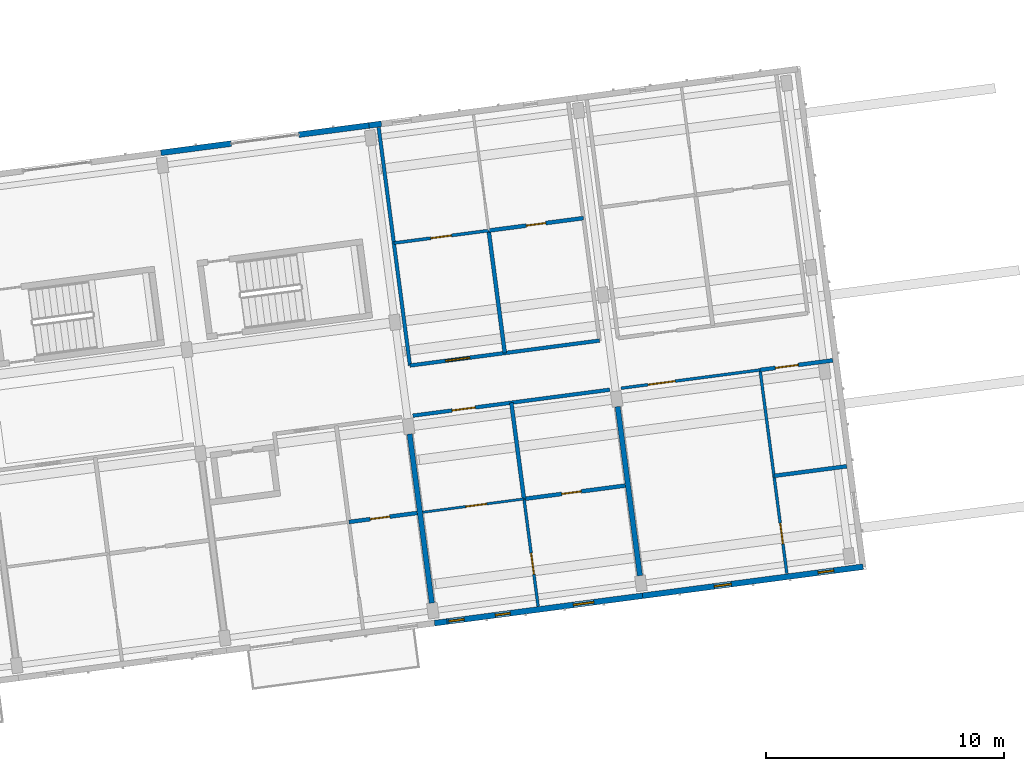
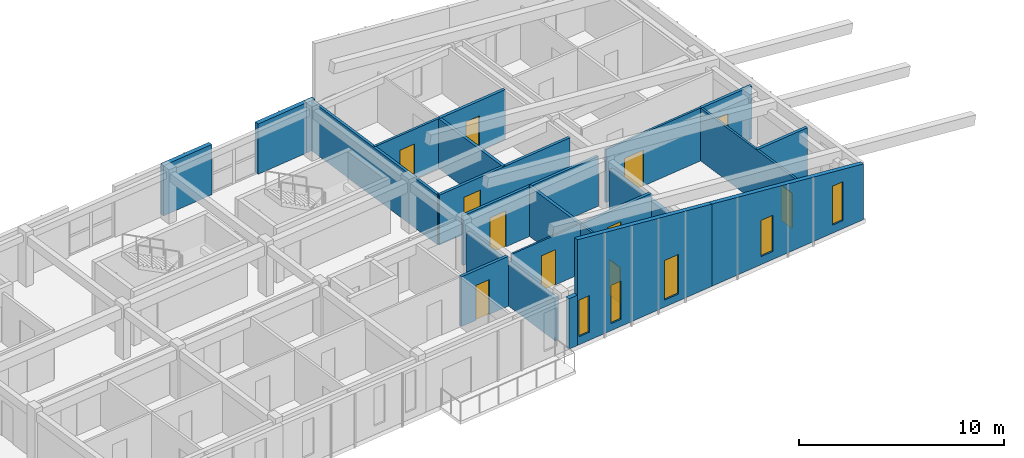
# One storey, part 8 of 16: 23 walls, 11 doors, 5 windows, 16 openings.
"""IFC4 building model written with IfcOpenShell, lengths in metres."""

from ifc_helpers import new_model, si_unit, direction, frame, frame_2d, origin, place, context, subcontext, project, spatial, polyline, rectangle, outline, extrude, material, layer, layer_set, type_object, element, fill, save


model = new_model("IFC4")

# Units and contexts
model_context = context("Model", 3, precision=1e-05, world=origin(), true_north=direction((0.0, 1.0)))
body_context = subcontext(model_context, "Body", "Model", "MODEL_VIEW")
ifc_project = project(units=[si_unit("LENGTHUNIT", "METRE"), si_unit("AREAUNIT", "SQUARE_METRE"), si_unit("VOLUMEUNIT", "CUBIC_METRE"), si_unit("PLANEANGLEUNIT", "RADIAN"), si_unit("MASSUNIT", "GRAM", prefix="KILO")], contexts=[model_context])

# Site, building, storey
site_placement = place(None, origin())
site = spatial("IfcSite", under=ifc_project, at=site_placement, CompositionType="ELEMENT")
building_placement = place(site_placement, origin())
building = spatial("IfcBuilding", under=site, at=building_placement, Name="Kestramere Prow Commons", CompositionType="ELEMENT")
storey_placement = place(building_placement, frame((0.0, 0.0, 40.89990234375)))
storey = spatial("IfcBuildingStorey", under=building, at=storey_placement, Name="L12", CompositionType="ELEMENT", Elevation=40.89990234375)

# Wall
ifc_material_1 = material(Name="Fluoropolymer Standing-Seam Zinc-Aluminium Cladding", Category="aluminium")
ifc_layer_1 = layer(ifc_material_1, 0.239990234375)
ifc_layer_set_1 = layer_set([ifc_layer_1], Name="Fluoropolymer Standing-Seam Zinc-Aluminium Cladding")
wall_type_1 = type_object("IfcWallType", Name="EW-SEAM-240", PredefinedType="SOLIDWALL", material=ifc_layer_set_1)
wall_1_placement = place(storey_placement, frame((37.963134765625, 74.993896484375, 0.0), z_axis=(0.0, 0.0, 1.0), x_axis=(-0.991425781816, -0.130671034095, 0.0)))
element("IfcWall", 1, at=wall_1_placement, inside=storey, type_object=wall_type_1, Name="Block A L12 South Step-Back Spandrel Wall 4", PredefinedType="SOLIDWALL", context=body_context, shape_type="SweptSolid", body=[
    extrude(rectangle(XDim=0.52490234375, YDim=0.239990234375, at=frame_2d((0.262451171875, 0.0))), origin(), (0.0, 0.0, 1.0), 3.0),
])

# Wall, openings, windows
wall_2_placement = place(storey_placement, frame((46.16748046875, 76.073974609375, 0.0), z_axis=(0.0, 0.0, 1.0), x_axis=(-0.991445556921, -0.130520908907, 0.0)))
wall_2 = element("IfcWall", 2, at=wall_2_placement, inside=storey, type_object=wall_type_1, Name="Block A L12 South Standing-Seam Wall 4", PredefinedType="SOLIDWALL", context=body_context, shape_type="SweptSolid", body=[
    extrude(outline(polyline([(0.0, 0.0), (8.275146484375, 0.0), (8.27490234375, 6.301025390625), (0.0, 4.900634765625), (0.0, 0.0)])), frame((0.0, 0.1201171875, 0.0), z_axis=(0.0, -1.0, 0.0), x_axis=(1.0, 0.0, 0.0)), (0.0, 0.0, 1.0), 0.239990234375),
])
opening_1_placement = place(wall_2_placement, frame((2.063720703125, 0.0, 0.419921875)))
opening_1 = element("IfcOpeningElement", 3, at=opening_1_placement, cuts=wall_2, Name="Opening WN-15", PredefinedType="OPENING", context=body_context, shape_type="SweptSolid", body=[
    extrude(rectangle(XDim=0.860107421875, YDim=2.360107421875, at=frame_2d((0.43017578125, 1.18017578125))), frame((0.0, 0.135009765625, 0.0), z_axis=(0.0, -1.0, 0.0), x_axis=(1.0, 0.0, 0.0)), (0.0, 0.0, 1.0), 0.27001953125),
])
opening_2_placement = place(wall_2_placement, frame((5.60400390625, 0.0, 0.419921875)))
opening_2 = element("IfcOpeningElement", 4, at=opening_2_placement, cuts=wall_2, Name="Opening WN-03", PredefinedType="OPENING", context=body_context, shape_type="SweptSolid", body=[
    extrude(rectangle(XDim=0.6201171875, YDim=2.280029296875, at=frame_2d((0.31005859375, 1.14013671875))), frame((0.0, 0.135009765625, 0.0), z_axis=(0.0, -1.0, 0.0), x_axis=(1.0, 0.0, 0.0)), (0.0, 0.0, 1.0), 0.27001953125),
])
opening_3_placement = place(wall_2_placement, frame((7.550048828125, 0.0, 0.47998046875)))
opening_3 = element("IfcOpeningElement", 5, at=opening_3_placement, cuts=wall_2, Name="Opening WN-04", PredefinedType="OPENING", context=body_context, shape_type="SweptSolid", body=[
    extrude(rectangle(XDim=0.639892578125, YDim=2.179931640625, at=frame_2d((0.31982421875, 1.08984375))), frame((0.0, 0.135009765625, 0.0), z_axis=(0.0, -1.0, 0.0), x_axis=(1.0, 0.0, 0.0)), (0.0, 0.0, 1.0), 0.27001953125),
])
ifc_material_2 = material(Name="Low-E Laminated Double Glazing", Category="glass")
window_type_1 = type_object("IfcWindowType", Name="WN-NAR-620A", PartitioningType="SINGLE_PANEL", PredefinedType="WINDOW", material=ifc_material_2)
window_1_placement = place(opening_2_placement, origin())
window_1 = element("IfcWindow", 6, at=window_1_placement, inside=storey, type_object=window_type_1, Name="WN-A-L12-S-3-10", OverallHeight=2.280029296875, OverallWidth=0.6201171875, PartitioningType="SINGLE_PANEL", PredefinedType="WINDOW", context=body_context, shape_type="SweptSolid", body=[
    extrude(rectangle(XDim=0.6201171875, YDim=2.280029296875, at=frame_2d((0.31005859375, 1.14013671875))), frame((0.0, 0.030029296875, 0.0), z_axis=(0.0, -1.0, 0.0), x_axis=(1.0, 0.0, 0.0)), (0.0, 0.0, 1.0), 0.06005859375),
])
fill(opening_2, window_1)
window_type_2 = type_object("IfcWindowType", Name="WN-NAR-640A", PartitioningType="SINGLE_PANEL", PredefinedType="WINDOW", material=ifc_material_2)
window_2_placement = place(opening_3_placement, origin())
window_2 = element("IfcWindow", 7, at=window_2_placement, inside=storey, type_object=window_type_2, Name="WN-A-L12-S-3-11", OverallHeight=2.179931640625, OverallWidth=0.639892578125, PartitioningType="SINGLE_PANEL", PredefinedType="WINDOW", context=body_context, shape_type="SweptSolid", body=[
    extrude(rectangle(XDim=0.639892578125, YDim=2.179931640625, at=frame_2d((0.31982421875, 1.08984375))), frame((0.0, 0.030029296875, 0.0), z_axis=(0.0, -1.0, 0.0), x_axis=(1.0, 0.0, 0.0)), (0.0, 0.0, 1.0), 0.06005859375),
])
fill(opening_3, window_2)
window_type_3 = type_object("IfcWindowType", Name="WN-NAR-860A", PartitioningType="DOUBLE_PANEL_VERTICAL", PredefinedType="WINDOW", material=ifc_material_2)
window_3_placement = place(opening_1_placement, origin())
window_3 = element("IfcWindow", 8, at=window_3_placement, inside=storey, type_object=window_type_3, Name="WN-A-L12-S-3-00", OverallHeight=2.360107421875, OverallWidth=0.860107421875, PartitioningType="SINGLE_PANEL", PredefinedType="WINDOW", context=body_context, shape_type="SweptSolid", body=[
    extrude(rectangle(XDim=0.860107421875, YDim=2.360107421875, at=frame_2d((0.43017578125, 1.18017578125))), frame((0.0, 0.030029296875, 0.0), z_axis=(0.0, -1.0, 0.0), x_axis=(1.0, 0.0, 0.0)), (0.0, 0.0, 1.0), 0.06005859375),
])
fill(opening_1, window_3)

wall_3_placement = place(storey_placement, frame((55.41259765625, 77.291259765625, 0.0), z_axis=(0.0, 0.0, 1.0), x_axis=(-0.991442885224, -0.130541201693, 0.0)))
wall_3 = element("IfcWall", 9, at=wall_3_placement, inside=storey, type_object=wall_type_1, Name="Block A L12 South Standing-Seam Wall 5", PredefinedType="SOLIDWALL", context=body_context, shape_type="SweptSolid", body=[
    extrude(outline(polyline([(0.0, 0.0), (9.324951171875, 0.0), (9.324951171875, 4.900634765625), (0.0, 3.322509765625), (0.0, 0.0)])), frame((0.0, 0.1201171875, 0.0), z_axis=(0.0, -1.0, 0.0), x_axis=(1.0, 0.0, 0.0)), (0.0, 0.0, 1.0), 0.239990234375),
])
opening_4_placement = place(wall_3_placement, frame((1.244140625, 0.0, 0.47998046875)))
opening_4 = element("IfcOpeningElement", 10, at=opening_4_placement, cuts=wall_3, Name="Opening WN-05", PredefinedType="OPENING", context=body_context, shape_type="SweptSolid", body=[
    extrude(rectangle(XDim=0.659912109375, YDim=2.320068359375, at=frame_2d((0.330078125, 1.16015625))), frame((0.0, 0.135009765625, 0.0), z_axis=(0.0, -1.0, 0.0), x_axis=(1.0, 0.0, 0.0)), (0.0, 0.0, 1.0), 0.27001953125),
])
opening_5_placement = place(wall_3_placement, frame((5.572509765625, 0.0, 0.47998046875)))
opening_5 = element("IfcOpeningElement", 11, at=opening_5_placement, cuts=wall_3, Name="Opening WN-08", PredefinedType="OPENING", context=body_context, shape_type="SweptSolid", body=[
    extrude(rectangle(XDim=0.719970703125, YDim=2.159912109375, at=frame_2d((0.35986328125, 1.080078125))), frame((0.0, 0.135009765625, 0.0), z_axis=(0.0, -1.0, 0.0), x_axis=(1.0, 0.0, 0.0)), (0.0, 0.0, 1.0), 0.27001953125),
])
window_type_4 = type_object("IfcWindowType", Name="WN-NAR-660A", PartitioningType="SINGLE_PANEL", PredefinedType="WINDOW", material=ifc_material_2)
window_4_placement = place(opening_4_placement, origin())
window_4 = element("IfcWindow", 12, at=window_4_placement, inside=storey, type_object=window_type_4, Name="WN-A-L12-S-4-00", OverallHeight=2.320068359375, OverallWidth=0.659912109375, PartitioningType="SINGLE_PANEL", PredefinedType="WINDOW", context=body_context, shape_type="SweptSolid", body=[
    extrude(rectangle(XDim=0.659912109375, YDim=2.320068359375, at=frame_2d((0.330078125, 1.16015625))), frame((0.0, 0.030029296875, 0.0), z_axis=(0.0, -1.0, 0.0), x_axis=(1.0, 0.0, 0.0)), (0.0, 0.0, 1.0), 0.06005859375),
])
fill(opening_4, window_4)
window_type_5 = type_object("IfcWindowType", Name="WN-NAR-720A", PartitioningType="SINGLE_PANEL", PredefinedType="WINDOW", material=ifc_material_2)
window_5_placement = place(opening_5_placement, origin())
window_5 = element("IfcWindow", 13, at=window_5_placement, inside=storey, type_object=window_type_5, Name="WN-A-L12-S-4-10", OverallHeight=2.159912109375, OverallWidth=0.719970703125, PartitioningType="SINGLE_PANEL", PredefinedType="WINDOW", context=body_context, shape_type="SweptSolid", body=[
    extrude(rectangle(XDim=0.719970703125, YDim=2.159912109375, at=frame_2d((0.35986328125, 1.080078125))), frame((0.0, 0.030029296875, 0.0), z_axis=(0.0, -1.0, 0.0), x_axis=(1.0, 0.0, 0.0)), (0.0, 0.0, 1.0), 0.06005859375),
])
fill(opening_5, window_5)

# Walls
for number, where, z_axis, x_axis, name in (
    (14, (25.970458984375, 94.646728515625, 0.0), (0.0, 0.0, 1.0), (0.991450105095, 0.130486356022, 0.0), "Block A L12 North Standing-Seam Pier 3L"),
    (15, (31.74560546875, 95.406982421875, 0.0), (0.0, 0.0, 1.0), (0.991439484875, 0.130567024289, 0.0), "Block A L12 North Standing-Seam Pier 3R"),
):
    element("IfcWall", number, at=place(storey_placement, frame(where, z_axis=z_axis, x_axis=x_axis)), inside=storey, type_object=wall_type_1, Name=name, PredefinedType="SOLIDWALL", context=body_context, shape_type="SweptSolid", body=[
        extrude(rectangle(XDim=2.974853515625, YDim=0.239990234375, at=frame_2d((1.4873046875, 0.0))), origin(), (0.0, 0.0, 1.0), 3.0),
    ])
wall_4_placement = place(storey_placement, frame((34.695068359375, 95.79541015625, 0.0), z_axis=(0.0, 0.0, 1.0), x_axis=(0.991485923918, 0.130213911209, 0.0)))
element("IfcWall", 16, at=wall_4_placement, inside=storey, type_object=wall_type_1, Name="Block A L12 North Step-Back Spandrel Wall 4", PredefinedType="SOLIDWALL", context=body_context, shape_type="SweptSolid", body=[
    extrude(rectangle(XDim=0.52490234375, YDim=0.239990234375, at=frame_2d((0.262451171875, 0.0))), origin(), (0.0, 0.0, 1.0), 3.0),
])

# Wall, opening, door
ifc_material_3 = material(Name="Fire-Rated Calcium Silicate Wall")
ifc_layer_2 = layer(ifc_material_3, 0.155029296875)
ifc_layer_set_2 = layer_set([ifc_layer_2], Name="Fire-Rated Calcium Silicate Wall")
wall_type_2 = type_object("IfcWallType", Name="W-FIRE-150", PredefinedType="PARTITIONING", material=ifc_layer_set_2)
wall_5_placement = place(storey_placement, frame((36.5341796875, 83.626220703125, 0.0), z_axis=(0.0, 0.0, 1.0), x_axis=(0.991443119217, 0.13053942453, 0.0)))
wall_5 = element("IfcWall", 17, at=wall_5_placement, inside=storey, type_object=wall_type_2, Name="Interior Partition PW-A-L12-CS-3", PredefinedType="PARTITIONING", context=body_context, shape_type="SweptSolid", body=[
    extrude(rectangle(XDim=8.330078125, YDim=0.155029296875, at=frame_2d((4.1650390625, 0.0))), origin(), (0.0, 0.0, 1.0), 2.97021484375),
])
opening_6_placement = place(wall_5_placement, frame((1.655029296875, 0.0, 0.0)))
opening_6 = element("IfcOpeningElement", 18, at=opening_6_placement, cuts=wall_5, Name="Opening ID-04", PredefinedType="OPENING", context=body_context, shape_type="SweptSolid", body=[
    extrude(rectangle(XDim=0.97998046875, YDim=2.14990234375, at=frame_2d((0.489990234375, 1.074951171875))), frame((0.0, 0.092529296875, 0.0), z_axis=(0.0, -1.0, 0.0), x_axis=(1.0, 0.0, 0.0)), (0.0, 0.0, 1.0), 0.18505859375),
])
ifc_material_4 = material(Name="Hardwood Fire-Rated Flat Entrance Door", Category="wood")
door_type_1 = type_object("IfcDoorType", Name="FD-ENT-01", OperationType="NOTDEFINED", PredefinedType="DOOR", material=ifc_material_4)
door_1_placement = place(opening_6_placement, origin())
door_1 = element("IfcDoor", 19, at=door_1_placement, inside=storey, type_object=door_type_1, Name="Interior Door DR-A-L12-ENT-S3", OperationType="SINGLE_SWING_RIGHT", OverallHeight=2.14990234375, OverallWidth=0.97998046875, PredefinedType="DOOR", context=body_context, shape_type="SweptSolid", body=[
    extrude(rectangle(XDim=0.97998046875, YDim=2.14990234375, at=frame_2d((0.489990234375, 1.074951171875))), frame((0.0, 0.02490234375, 0.0), z_axis=(0.0, -1.0, 0.0), x_axis=(1.0, 0.0, 0.0)), (0.0, 0.0, 1.0), 0.050048828125),
])
fill(opening_6, door_1)

wall_6_placement = place(storey_placement, frame((36.413818359375, 85.728515625, 0.0), z_axis=(0.0, 0.0, 1.0), x_axis=(0.991444034844, 0.130532470184, 0.0)))
wall_6 = element("IfcWall", 20, at=wall_6_placement, inside=storey, type_object=wall_type_2, Name="Interior Partition PW-A-L12-CN-3", PredefinedType="PARTITIONING", context=body_context, shape_type="SweptSolid", body=[
    extrude(rectangle(XDim=8.02001953125, YDim=0.155029296875, at=frame_2d((4.010009765625, 0.0))), origin(), (0.0, 0.0, 1.0), 2.97021484375),
])
opening_7_placement = place(wall_6_placement, frame((1.5048828125, 0.0, 0.0)))
opening_7 = element("IfcOpeningElement", 21, at=opening_7_placement, cuts=wall_6, Name="Opening ID-05", PredefinedType="OPENING", context=body_context, shape_type="SweptSolid", body=[
    extrude(rectangle(XDim=1.02001953125, YDim=2.199951171875, at=frame_2d((0.510009765625, 1.10009765625))), frame((0.0, 0.092529296875, 0.0), z_axis=(0.0, -1.0, 0.0), x_axis=(1.0, 0.0, 0.0)), (0.0, 0.0, 1.0), 0.18505859375),
])
door_type_2 = type_object("IfcDoorType", Name="FD-ENT-02", OperationType="NOTDEFINED", PredefinedType="DOOR", material=ifc_material_4)
door_2_placement = place(opening_7_placement, origin())
door_2 = element("IfcDoor", 22, at=door_2_placement, inside=storey, type_object=door_type_2, Name="Interior Door DR-A-L12-ENT-N3", OperationType="SINGLE_SWING_RIGHT", OverallHeight=2.199951171875, OverallWidth=1.02001953125, PredefinedType="DOOR", context=body_context, shape_type="SweptSolid", body=[
    extrude(rectangle(XDim=1.02001953125, YDim=2.199951171875, at=frame_2d((0.510009765625, 1.10009765625))), frame((0.0, 0.02490234375, 0.0), z_axis=(0.0, -1.0, 0.0), x_axis=(1.0, 0.0, 0.0)), (0.0, 0.0, 1.0), 0.050048828125),
])
fill(opening_7, door_2)

ifc_material_5 = material(Name="Gypsum Acoustic Drywall")
ifc_layer_3 = layer(ifc_material_5, 0.10009765625)
ifc_layer_set_3 = layer_set([ifc_layer_3], Name="Gypsum Acoustic Drywall")
wall_type_3 = type_object("IfcWallType", Name="W-PART-100", PredefinedType="PARTITIONING", material=ifc_layer_set_3)
wall_7_placement = place(storey_placement, frame((36.946533203125, 79.575439453125, 0.0), z_axis=(0.0, 0.0, 1.0), x_axis=(0.991444014242, 0.130532626667, 0.0)))
wall_7 = element("IfcWall", 23, at=wall_7_placement, inside=storey, type_object=wall_type_3, Name="Interior Partition PW-A-L12-MIDS1-3", PredefinedType="PARTITIONING", context=body_context, shape_type="SweptSolid", body=[
    extrude(rectangle(XDim=4.284912109375, YDim=0.10009765625, at=frame_2d((2.142578125, 0.0))), origin(), (0.0, 0.0, 1.0), 2.97021484375),
])
opening_8_placement = place(wall_7_placement, frame((1.824951171875, 0.0, 0.0)))
opening_8 = element("IfcOpeningElement", 24, at=opening_8_placement, cuts=wall_7, Name="Opening ID-10", PredefinedType="OPENING", context=body_context, shape_type="SweptSolid", body=[
    extrude(rectangle(XDim=0.8798828125, YDim=2.10009765625, at=frame_2d((0.43994140625, 1.050048828125))), frame((0.0, 0.06494140625, 0.0), z_axis=(0.0, -1.0, 0.0), x_axis=(1.0, 0.0, 0.0)), (0.0, 0.0, 1.0), 0.130126953125),
])
ifc_material_6 = material(Name="Engineered Timber Bedroom Door", Category="wood")
door_type_3 = type_object("IfcDoorType", Name="D-RM-03", OperationType="NOTDEFINED", PredefinedType="DOOR", material=ifc_material_6)
door_3_placement = place(opening_8_placement, origin())
door_3 = element("IfcDoor", 25, at=door_3_placement, inside=storey, type_object=door_type_3, Name="Interior Door DR-A-L12-KL-S3", OperationType="SINGLE_SWING_RIGHT", OverallHeight=2.10009765625, OverallWidth=0.8798828125, PredefinedType="DOOR", context=body_context, shape_type="SweptSolid", body=[
    extrude(rectangle(XDim=0.8798828125, YDim=2.10009765625, at=frame_2d((0.43994140625, 1.050048828125))), frame((0.0, 0.02490234375, 0.0), z_axis=(0.0, -1.0, 0.0), x_axis=(1.0, 0.0, 0.0)), (0.0, 0.0, 1.0), 0.050048828125),
])
fill(opening_8, door_3)

ifc_material_7 = material(Name="Lightweight Blockwork and Plaster", Category="masonry")
ifc_layer_4 = layer(ifc_material_7, 0.1201171875)
ifc_layer_set_4 = layer_set([ifc_layer_4], Name="Lightweight Blockwork and Plaster")
wall_type_4 = type_object("IfcWallType", Name="W-PART-120", PredefinedType="PARTITIONING", material=ifc_layer_set_4)
wall_8_placement = place(storey_placement, frame((41.787353515625, 75.633544921875, 0.0), z_axis=(0.0, 0.0, 1.0), x_axis=(-0.130511545171, 0.991446789584, 0.0)))
wall_8 = element("IfcWall", 26, at=wall_8_placement, inside=storey, type_object=wall_type_4, Name="Interior Partition PW-A-L12-LB-S3", PredefinedType="PARTITIONING", context=body_context, shape_type="SweptSolid", body=[
    extrude(rectangle(XDim=4.5400390625, YDim=0.1201171875, at=frame_2d((2.27001953125, 0.0))), origin(), (0.0, 0.0, 1.0), 2.97021484375),
])
opening_9_placement = place(wall_8_placement, frame((1.35009765625, 0.0, 0.0)))
opening_9 = element("IfcOpeningElement", 27, at=opening_9_placement, cuts=wall_8, Name="Opening ID-08", PredefinedType="OPENING", context=body_context, shape_type="SweptSolid", body=[
    extrude(rectangle(XDim=0.89990234375, YDim=2.10009765625, at=frame_2d((0.449951171875, 1.050048828125))), frame((0.0, 0.074951171875, 0.0), z_axis=(0.0, -1.0, 0.0), x_axis=(1.0, 0.0, 0.0)), (0.0, 0.0, 1.0), 0.150146484375),
])
ifc_material_8 = material(Name="Engineered Timber Flush Door", Category="wood")
door_type_4 = type_object("IfcDoorType", Name="D-RM-01", OperationType="NOTDEFINED", PredefinedType="DOOR", material=ifc_material_8)
door_4_placement = place(opening_9_placement, origin())
door_4 = element("IfcDoor", 28, at=door_4_placement, inside=storey, type_object=door_type_4, Name="Interior Door DR-A-L12-BED-S3", OperationType="SINGLE_SWING_RIGHT", OverallHeight=2.10009765625, OverallWidth=0.89990234375, PredefinedType="DOOR", context=body_context, shape_type="SweptSolid", body=[
    extrude(rectangle(XDim=0.89990234375, YDim=2.10009765625, at=frame_2d((0.449951171875, 1.050048828125))), frame((0.0, 0.02490234375, 0.0), z_axis=(0.0, -1.0, 0.0), x_axis=(1.0, 0.0, 0.0)), (0.0, 0.0, 1.0), 0.050048828125),
])
fill(opening_9, door_4)

wall_9_placement = place(storey_placement, frame((45.259033203125, 84.77490234375, 0.0), z_axis=(0.0, 0.0, 1.0), x_axis=(0.991446103591, 0.130516756293, 0.0)))
wall_9 = element("IfcWall", 29, at=wall_9_placement, inside=storey, type_object=wall_type_4, Name="Interior Partition PW-A-L12-CS-4A", PredefinedType="PARTITIONING", context=body_context, shape_type="SweptSolid", body=[
    extrude(rectangle(XDim=5.884765625, YDim=0.1201171875, at=frame_2d((2.9423828125, 0.0))), origin(), (0.0, 0.0, 1.0), 3.150146484375),
])
opening_10_placement = place(wall_9_placement, frame((1.14990234375, 0.0, 0.0)))
opening_10 = element("IfcOpeningElement", 30, at=opening_10_placement, cuts=wall_9, Name="Opening ID-09", PredefinedType="OPENING", context=body_context, shape_type="SweptSolid", body=[
    extrude(rectangle(XDim=1.14990234375, YDim=2.14990234375, at=frame_2d((0.574951171875, 1.074951171875))), frame((0.0, 0.074951171875, 0.0), z_axis=(0.0, -1.0, 0.0), x_axis=(1.0, 0.0, 0.0)), (0.0, 0.0, 1.0), 0.150146484375),
])
ifc_material_9 = material(Name="Engineered Timber Acoustic Door", Category="wood")
door_type_5 = type_object("IfcDoorType", Name="D-RM-02", OperationType="NOTDEFINED", PredefinedType="DOOR", material=ifc_material_9)
door_5_placement = place(opening_10_placement, origin())
door_5 = element("IfcDoor", 31, at=door_5_placement, inside=storey, type_object=door_type_5, Name="Interior Door DR-A-L12-SKY-4", OperationType="SINGLE_SWING_LEFT", OverallHeight=2.14990234375, OverallWidth=1.14990234375, PredefinedType="DOOR", context=body_context, shape_type="SweptSolid", body=[
    extrude(rectangle(XDim=1.14990234375, YDim=2.14990234375, at=frame_2d((0.574951171875, 1.074951171875))), frame((0.0, 0.02490234375, 0.0), z_axis=(0.0, -1.0, 0.0), x_axis=(1.0, 0.0, 0.0)), (0.0, 0.0, 1.0), 0.050048828125),
])
fill(opening_10, door_5)

wall_10_placement = place(storey_placement, frame((52.21728515625, 77.006591796875, 0.0), z_axis=(0.0, 0.0, 1.0), x_axis=(-0.13051979335, 0.99144570378, 0.0)))
wall_10 = element("IfcWall", 32, at=wall_10_placement, inside=storey, type_object=wall_type_4, Name="Interior Partition PW-A-L12-SKDV-4", PredefinedType="PARTITIONING", context=body_context, shape_type="SweptSolid", body=[
    extrude(rectangle(XDim=8.610107421875, YDim=0.1201171875, at=frame_2d((4.30517578125, 0.0))), origin(), (0.0, 0.0, 1.0), 3.150146484375),
])
opening_11_placement = place(wall_10_placement, frame((1.25, 0.0, 0.0)))
opening_11 = element("IfcOpeningElement", 33, at=opening_11_placement, cuts=wall_10, Name="Opening ID-10", PredefinedType="OPENING", context=body_context, shape_type="SweptSolid", body=[
    extrude(rectangle(XDim=0.8798828125, YDim=2.10009765625, at=frame_2d((0.43994140625, 1.050048828125))), frame((0.0, 0.074951171875, 0.0), z_axis=(0.0, -1.0, 0.0), x_axis=(1.0, 0.0, 0.0)), (0.0, 0.0, 1.0), 0.150146484375),
])
door_6_placement = place(opening_11_placement, origin())
door_6 = element("IfcDoor", 34, at=door_6_placement, inside=storey, type_object=door_type_3, Name="Interior Door DR-A-L12-SKAL-4", OperationType="SINGLE_SWING_LEFT", OverallHeight=2.10009765625, OverallWidth=0.8798828125, PredefinedType="DOOR", context=body_context, shape_type="SweptSolid", body=[
    extrude(rectangle(XDim=0.8798828125, YDim=2.10009765625, at=frame_2d((0.43994140625, 1.050048828125))), frame((0.0, 0.02490234375, 0.0), z_axis=(0.0, -1.0, 0.0), x_axis=(1.0, 0.0, 0.0)), (0.0, 0.0, 1.0), 0.050048828125),
])
fill(opening_11, door_6)

ifc_layer_5 = layer(ifc_material_7, 0.1298828125)
ifc_layer_set_5 = layer_set([ifc_layer_5], Name="Lightweight Blockwork and Plaster")
wall_type_5 = type_object("IfcWallType", Name="W-PART-130", PredefinedType="PARTITIONING", material=ifc_layer_set_5)
wall_11_placement = place(storey_placement, frame((35.737548828125, 90.8642578125, 0.0), z_axis=(0.0, 0.0, 1.0), x_axis=(0.991444553502, 0.130528530716, 0.0)))
wall_11 = element("IfcWall", 35, at=wall_11_placement, inside=storey, type_object=wall_type_5, Name="Interior Partition PW-A-L12-MIDN1-3", PredefinedType="PARTITIONING", context=body_context, shape_type="SweptSolid", body=[
    extrude(rectangle(XDim=4.01025390625, YDim=0.1298828125, at=frame_2d((2.005126953125, 0.0))), origin(), (0.0, 0.0, 1.0), 2.97021484375),
])
opening_12_placement = place(wall_11_placement, frame((1.554931640625, 0.0, 0.0)))
opening_12 = element("IfcOpeningElement", 36, at=opening_12_placement, cuts=wall_11, Name="Opening ID-10", PredefinedType="OPENING", context=body_context, shape_type="SweptSolid", body=[
    extrude(rectangle(XDim=0.8798828125, YDim=2.10009765625, at=frame_2d((0.43994140625, 1.050048828125))), frame((0.0, 0.079833984375, 0.0), z_axis=(0.0, -1.0, 0.0), x_axis=(1.0, 0.0, 0.0)), (0.0, 0.0, 1.0), 0.159912109375),
])
door_7_placement = place(opening_12_placement, origin())
door_7 = element("IfcDoor", 37, at=door_7_placement, inside=storey, type_object=door_type_3, Name="Interior Door DR-A-L12-KL-N3", OperationType="SINGLE_SWING_LEFT", OverallHeight=2.10009765625, OverallWidth=0.8798828125, PredefinedType="DOOR", context=body_context, shape_type="SweptSolid", body=[
    extrude(rectangle(XDim=0.8798828125, YDim=2.10009765625, at=frame_2d((0.43994140625, 1.050048828125))), frame((0.0, 0.02490234375, 0.0), z_axis=(0.0, -1.0, 0.0), x_axis=(1.0, 0.0, 0.0)), (0.0, 0.0, 1.0), 0.050048828125),
])
fill(opening_12, door_7)

# Wall
ifc_material_10 = material(Name="Masonry Compartment Wall", Category="masonry")
ifc_layer_6 = layer(ifc_material_10, 0.14990234375)
ifc_layer_set_6 = layer_set([ifc_layer_6], Name="Masonry Compartment Wall")
wall_type_6 = type_object("IfcWallType", Name="W-PART-150", PredefinedType="PARTITIONING", material=ifc_layer_set_6)
wall_12_placement = place(storey_placement, frame((36.413818359375, 85.728515625, 0.0), z_axis=(0.0, 0.0, 1.0), x_axis=(-0.130531024319, 0.991444225204, 0.0)))
element("IfcWall", 38, at=wall_12_placement, inside=storey, type_object=wall_type_6, Name="Interior Partition PW-A-L12-NWL-3", PredefinedType="PARTITIONING", context=body_context, shape_type="SweptSolid", body=[
    extrude(rectangle(XDim=10.070068359375, YDim=0.14990234375, at=frame_2d((5.03515625, 0.0))), origin(), (0.0, 0.0, 1.0), 2.97021484375),
])

# Wall, opening, door
ifc_material_11 = material(Name="Waterproof Sanitary Masonry Wall", Category="masonry")
ifc_layer_7 = layer(ifc_material_11, 0.1650390625)
ifc_layer_set_7 = layer_set([ifc_layer_7], Name="Waterproof Sanitary Masonry Wall")
wall_type_7 = type_object("IfcWallType", Name="W-PLUMB-150", PredefinedType="PLUMBINGWALL", material=ifc_layer_set_7)
wall_13_placement = place(storey_placement, frame((33.853271484375, 79.168212890625, 0.0), z_axis=(0.0, 0.0, 1.0), x_axis=(0.9914456672, 0.130520071219, 0.0)))
wall_13 = element("IfcWall", 39, at=wall_13_placement, inside=storey, type_object=wall_type_7, Name="Interior Partition PW-A-L12-MIDS2-2", PredefinedType="PLUMBINGWALL", context=body_context, shape_type="SweptSolid", body=[
    extrude(rectangle(XDim=2.889892578125, YDim=0.1650390625, at=frame_2d((1.44482421875, 0.0))), origin(), (0.0, 0.0, 1.0), 2.97021484375),
])
opening_13_placement = place(wall_13_placement, frame((0.903076171875, 0.0, 0.0)))
opening_13 = element("IfcOpeningElement", 40, at=opening_13_placement, cuts=wall_13, Name="Opening ID-11", PredefinedType="OPENING", context=body_context, shape_type="SweptSolid", body=[
    extrude(rectangle(XDim=0.820068359375, YDim=2.080078125, at=frame_2d((0.41015625, 1.0400390625))), frame((0.0, 0.097412109375, 0.0), z_axis=(0.0, -1.0, 0.0), x_axis=(1.0, 0.0, 0.0)), (0.0, 0.0, 1.0), 0.195068359375),
])
ifc_material_12 = material(Name="Moisture-Resistant Timber Bathroom Door", Category="wood")
door_type_6 = type_object("IfcDoorType", Name="D-BT-01", OperationType="NOTDEFINED", PredefinedType="DOOR", material=ifc_material_12)
door_8_placement = place(opening_13_placement, origin())
door_8 = element("IfcDoor", 41, at=door_8_placement, inside=storey, type_object=door_type_6, Name="Interior Door DR-A-L12-BTH-S2", OperationType="SINGLE_SWING_LEFT", OverallHeight=2.080078125, OverallWidth=0.820068359375, PredefinedType="DOOR", context=body_context, shape_type="SweptSolid", body=[
    extrude(rectangle(XDim=0.820068359375, YDim=2.080078125, at=frame_2d((0.41015625, 1.0400390625))), frame((0.0, 0.02490234375, 0.0), z_axis=(0.0, -1.0, 0.0), x_axis=(1.0, 0.0, 0.0)), (0.0, 0.0, 1.0), 0.050048828125),
])
fill(opening_13, door_8)

wall_14_placement = place(storey_placement, frame((41.19482421875, 80.134765625, 0.0), z_axis=(0.0, 0.0, 1.0), x_axis=(0.991444014242, 0.130532626667, 0.0)))
wall_14 = element("IfcWall", 42, at=wall_14_placement, inside=storey, type_object=wall_type_7, Name="Interior Partition PW-A-L12-MIDS2-3", PredefinedType="PLUMBINGWALL", context=body_context, shape_type="SweptSolid", body=[
    extrude(rectangle(XDim=4.284912109375, YDim=0.1650390625, at=frame_2d((2.142578125, 0.0))), origin(), (0.0, 0.0, 1.0), 2.97021484375),
])
opening_14_placement = place(wall_14_placement, frame((1.60009765625, 0.0, 0.0)))
opening_14 = element("IfcOpeningElement", 43, at=opening_14_placement, cuts=wall_14, Name="Opening ID-11", PredefinedType="OPENING", context=body_context, shape_type="SweptSolid", body=[
    extrude(rectangle(XDim=0.820068359375, YDim=2.080078125, at=frame_2d((0.41015625, 1.0400390625))), frame((0.0, 0.097412109375, 0.0), z_axis=(0.0, -1.0, 0.0), x_axis=(1.0, 0.0, 0.0)), (0.0, 0.0, 1.0), 0.195068359375),
])
door_9_placement = place(opening_14_placement, origin())
door_9 = element("IfcDoor", 44, at=door_9_placement, inside=storey, type_object=door_type_6, Name="Interior Door DR-A-L12-BTH-S3", OperationType="SINGLE_SWING_LEFT", OverallHeight=2.080078125, OverallWidth=0.820068359375, PredefinedType="DOOR", context=body_context, shape_type="SweptSolid", body=[
    extrude(rectangle(XDim=0.820068359375, YDim=2.080078125, at=frame_2d((0.41015625, 1.0400390625))), frame((0.0, 0.02490234375, 0.0), z_axis=(0.0, -1.0, 0.0), x_axis=(1.0, 0.0, 0.0)), (0.0, 0.0, 1.0), 0.050048828125),
])
fill(opening_14, door_9)

# Wall
wall_15_placement = place(storey_placement, frame((41.19482421875, 80.134765625, 0.0), z_axis=(0.0, 0.0, 1.0), x_axis=(-0.13052899417, 0.991444492486, 0.0)))
element("IfcWall", 45, at=wall_15_placement, inside=storey, type_object=wall_type_7, Name="Interior Partition PW-A-L12-KB-S3", PredefinedType="PLUMBINGWALL", context=body_context, shape_type="SweptSolid", body=[
    extrude(rectangle(XDim=4.070068359375, YDim=0.1650390625, at=frame_2d((2.03515625, 0.0))), origin(), (0.0, 0.0, 1.0), 2.97021484375),
])

# Wall, opening, door
wall_16_placement = place(storey_placement, frame((51.093505859375, 85.54296875, 0.0), z_axis=(0.0, 0.0, 1.0), x_axis=(0.99144564619, 0.130520230809, 0.0)))
wall_16 = element("IfcWall", 46, at=wall_16_placement, inside=storey, type_object=wall_type_7, Name="Interior Partition PW-A-L12-CS-4B", PredefinedType="PLUMBINGWALL", context=body_context, shape_type="SweptSolid", body=[
    extrude(rectangle(XDim=3.0751953125, YDim=0.1650390625, at=frame_2d((1.53759765625, 0.0))), origin(), (0.0, 0.0, 1.0), 3.150146484375),
])
opening_15_placement = place(wall_16_placement, frame((0.64990234375, 0.0, 0.0)))
opening_15 = element("IfcOpeningElement", 47, at=opening_15_placement, cuts=wall_16, Name="Opening ID-13", PredefinedType="OPENING", context=body_context, shape_type="SweptSolid", body=[
    extrude(rectangle(XDim=0.9599609375, YDim=2.1201171875, at=frame_2d((0.47998046875, 1.06005859375))), frame((0.0, 0.097412109375, 0.0), z_axis=(0.0, -1.0, 0.0), x_axis=(1.0, 0.0, 0.0)), (0.0, 0.0, 1.0), 0.195068359375),
])
ifc_material_13 = material(Name="Accessible Wide-Leaf Timber Door", Category="wood")
door_type_7 = type_object("IfcDoorType", Name="D-ACC-01", OperationType="NOTDEFINED", PredefinedType="DOOR", material=ifc_material_13)
door_10_placement = place(opening_15_placement, origin())
door_10 = element("IfcDoor", 48, at=door_10_placement, inside=storey, type_object=door_type_7, Name="Interior Door DR-A-L12-SKWC-4", OperationType="SINGLE_SWING_RIGHT", OverallHeight=2.1201171875, OverallWidth=0.9599609375, PredefinedType="DOOR", context=body_context, shape_type="SweptSolid", body=[
    extrude(rectangle(XDim=0.9599609375, YDim=2.1201171875, at=frame_2d((0.47998046875, 1.06005859375))), frame((0.0, 0.02490234375, 0.0), z_axis=(0.0, -1.0, 0.0), x_axis=(1.0, 0.0, 0.0)), (0.0, 0.0, 1.0), 0.050048828125),
])
fill(opening_15, door_10)

# Wall
wall_17_placement = place(storey_placement, frame((51.67822265625, 81.101318359375, 0.0), z_axis=(0.0, 0.0, 1.0), x_axis=(0.99144564619, 0.130520230809, 0.0)))
element("IfcWall", 49, at=wall_17_placement, inside=storey, type_object=wall_type_7, Name="Interior Partition PW-A-L12-SKHZ-4", PredefinedType="PLUMBINGWALL", context=body_context, shape_type="SweptSolid", body=[
    extrude(rectangle(XDim=3.0751953125, YDim=0.1650390625, at=frame_2d((1.53759765625, 0.0))), origin(), (0.0, 0.0, 1.0), 3.150146484375),
])

# Wall, opening, door
wall_18_placement = place(storey_placement, frame((39.71337890625, 91.3876953125, 0.0), z_axis=(0.0, 0.0, 1.0), x_axis=(0.991443516139, 0.130536409887, 0.0)))
wall_18 = element("IfcWall", 50, at=wall_18_placement, inside=storey, type_object=wall_type_7, Name="Interior Partition PW-A-L12-MIDN2-3", PredefinedType="PLUMBINGWALL", context=body_context, shape_type="SweptSolid", body=[
    extrude(rectangle(XDim=4.010009765625, YDim=0.1650390625, at=frame_2d((2.0048828125, 0.0))), origin(), (0.0, 0.0, 1.0), 2.97021484375),
])
opening_16_placement = place(wall_18_placement, frame((1.594970703125, 0.0, 0.0)))
opening_16 = element("IfcOpeningElement", 51, at=opening_16_placement, cuts=wall_18, Name="Opening ID-11", PredefinedType="OPENING", context=body_context, shape_type="SweptSolid", body=[
    extrude(rectangle(XDim=0.820068359375, YDim=2.080078125, at=frame_2d((0.41015625, 1.0400390625))), frame((0.0, 0.097412109375, 0.0), z_axis=(0.0, -1.0, 0.0), x_axis=(1.0, 0.0, 0.0)), (0.0, 0.0, 1.0), 0.195068359375),
])
door_11_placement = place(opening_16_placement, origin())
door_11 = element("IfcDoor", 52, at=door_11_placement, inside=storey, type_object=door_type_6, Name="Interior Door DR-A-L12-BTH-N3", OperationType="SINGLE_SWING_RIGHT", OverallHeight=2.080078125, OverallWidth=0.820068359375, PredefinedType="DOOR", context=body_context, shape_type="SweptSolid", body=[
    extrude(rectangle(XDim=0.820068359375, YDim=2.080078125, at=frame_2d((0.41015625, 1.0400390625))), frame((0.0, 0.02490234375, 0.0), z_axis=(0.0, -1.0, 0.0), x_axis=(1.0, 0.0, 0.0)), (0.0, 0.0, 1.0), 0.050048828125),
])
fill(opening_16, door_11)

# Walls
wall_19_placement = place(storey_placement, frame((40.389404296875, 86.251953125, 0.0), z_axis=(0.0, 0.0, 1.0), x_axis=(-0.130505718023, 0.991447556638, 0.0)))
element("IfcWall", 53, at=wall_19_placement, inside=storey, type_object=wall_type_7, Name="Interior Partition PW-A-L12-KB-N3", PredefinedType="PLUMBINGWALL", context=body_context, shape_type="SweptSolid", body=[
    extrude(rectangle(XDim=5.179931640625, YDim=0.1650390625, at=frame_2d((2.58984375, 0.0))), origin(), (0.0, 0.0, 1.0), 2.97021484375),
])
ifc_material_14 = material(Name="Precast concrete C40/50", Category="concrete")
ifc_layer_8 = layer(ifc_material_14, 0.219970703125)
ifc_layer_set_8 = layer_set([ifc_layer_8], Name="Precast concrete C40/50")
wall_type_8 = type_object("IfcWallType", Name="W-XWALL-220", PredefinedType="SHEAR", material=ifc_layer_set_8)
wall_20_placement = place(storey_placement, frame((37.331787109375, 75.76806640625, 0.0), z_axis=(0.0, 0.0, 1.0), x_axis=(-0.130537539388, 0.991443367425, 0.0)))
element("IfcWall", 54, at=wall_20_placement, inside=storey, type_object=wall_type_8, Name="Block A L12 Precast Cross-Wall 3", PredefinedType="SHEAR", context=body_context, shape_type="SweptSolid", body=[
    extrude(rectangle(XDim=7.150146484375, YDim=0.219970703125, at=frame_2d((3.5751953125, 0.0))), origin(), (0.0, 0.0, 1.0), 2.5),
])
wall_21_placement = place(storey_placement, frame((46.056396484375, 76.916748046875, 0.0), z_axis=(0.0, 0.0, 1.0), x_axis=(-0.130503975686, 0.991447785983, 0.0)))
element("IfcWall", 55, at=wall_21_placement, inside=storey, type_object=wall_type_8, Name="Block A L12 Precast Cross-Wall 4", PredefinedType="SHEAR", context=body_context, shape_type="SweptSolid", body=[
    extrude(rectangle(XDim=7.14990234375, YDim=0.219970703125, at=frame_2d((3.574951171875, 0.0))), origin(), (0.0, 0.0, 1.0), 2.5),
])

save(model, "model.ifc")
